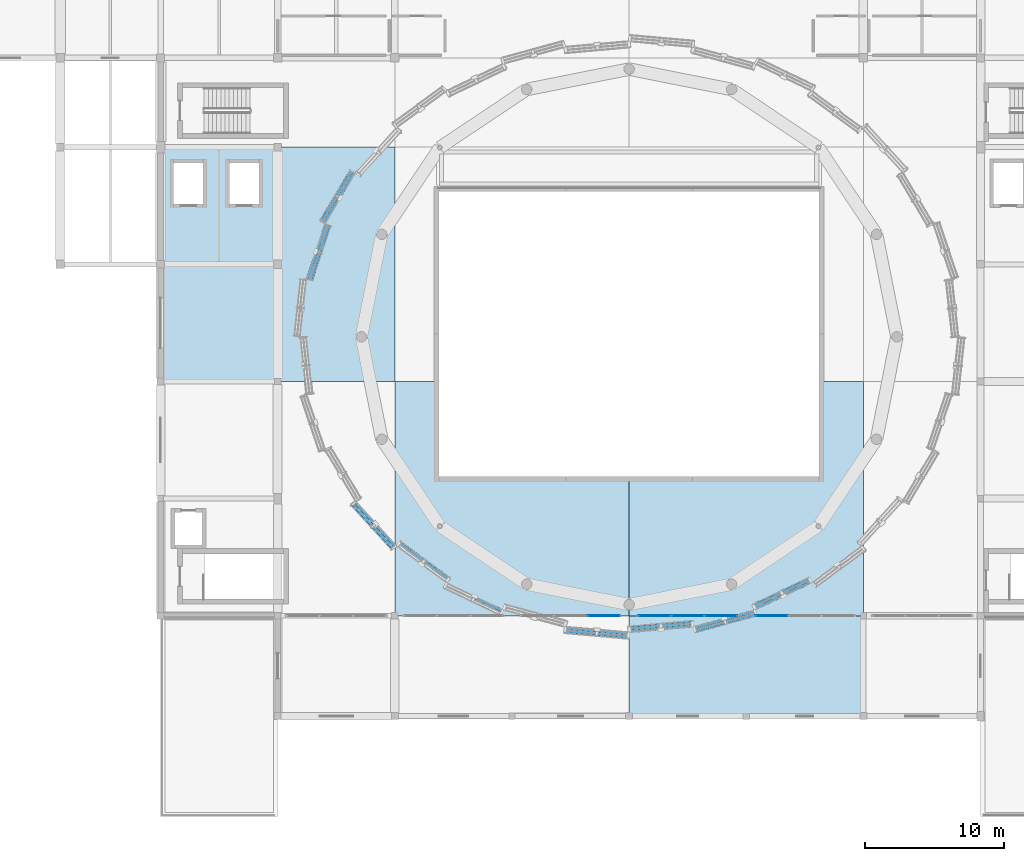
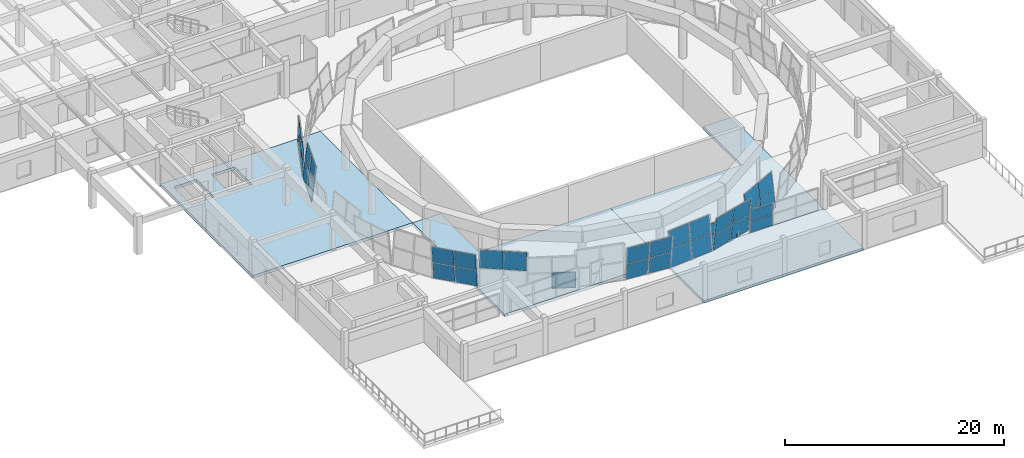
# One storey, part 24 of 40: 41 plates, 4 slabs, 12 elements without a shape of their own.
"""IFC4 building model written with IfcOpenShell, lengths in metres."""

from ifc_helpers import new_model, si_unit, direction, frame, origin, origin_2d, place, context, subcontext, project, spatial, polyline, rectangle, outline, extrude, material, layer, layer_set, type_object, element, aggregate, save


model = new_model("IFC4")

# Units and contexts
model_context = context("Model", 3, precision=1e-05, world=origin(), true_north=direction((0.0, 1.0)))
body_context = subcontext(model_context, "Body", "Model", "MODEL_VIEW")
ifc_project = project(units=[si_unit("LENGTHUNIT", "METRE"), si_unit("AREAUNIT", "SQUARE_METRE"), si_unit("VOLUMEUNIT", "CUBIC_METRE"), si_unit("PLANEANGLEUNIT", "RADIAN"), si_unit("MASSUNIT", "GRAM", prefix="KILO")], contexts=[model_context])

# Site, building, storey
site_placement = place(None, origin())
site = spatial("IfcSite", under=ifc_project, at=site_placement, CompositionType="ELEMENT")
building_placement = place(site_placement, origin())
building = spatial("IfcBuilding", under=site, at=building_placement, Name="Korsvaeld Concert Hall", CompositionType="ELEMENT")
storey_placement = place(building_placement, frame((0.0, 0.0, 13.199951171875)))
storey = spatial("IfcBuildingStorey", under=building, at=storey_placement, Name="L03", CompositionType="ELEMENT", Elevation=13.199951171875)

# Curtain wall, plates
ifc_material_1 = material(Name="Anodised bronze and ceramic-fritted safety glass", Category="glass")
curtain_wall_type_1 = type_object("IfcCurtainWallType", Name="CW-TYPE-15", PredefinedType="USERDEFINED", material=ifc_material_1)
curtain_wall_1_placement = place(storey_placement, origin())
curtain_wall_1 = element("IfcCurtainWall", 1, at=curtain_wall_1_placement, inside=storey, type_object=curtain_wall_type_1, Name="Glazed foyer acoustic screen L03-39", ObjectType="CURTAIN WALL", PredefinedType="USERDEFINED")
ifc_material_2 = material(Name="Clear acoustic triple safety glazing", Category="glass")
ifc_layer_1 = layer(ifc_material_2, 0.0439453125)
ifc_layer_set_1 = layer_set([ifc_layer_1], Name="Clear acoustic triple safety glazing")
plate_type_1 = type_object("IfcPlateType", Name="CWP-CLEAR-44", PredefinedType="CURTAIN_PANEL", material=ifc_layer_set_1)
plate_1_placement = place(storey_placement, frame((82.18505859375, 43.199951171875, 0.06005859375), z_axis=(0.0, 0.0, 1.0), x_axis=(1.0, 0.0, 0.0)))
plate_1 = element("IfcPlate", 2, at=plate_1_placement, type_object=plate_type_1, Name="CW-15 panel 3.1", PredefinedType="CURTAIN_PANEL", context=body_context, shape_type="SweptSolid", body=[
    extrude(rectangle(XDim=2.31005859375, YDim=0.0439453125, at=origin_2d()), origin(), (0.0, 0.0, 1.0), 1.18505859375),
])
plate_2_placement = place(storey_placement, frame((82.18505859375, 43.199951171875, 1.304931640625), z_axis=(0.0, 0.0, 1.0), x_axis=(1.0, 0.0, 0.0)))
plate_2 = element("IfcPlate", 3, at=plate_2_placement, type_object=plate_type_1, Name="CW-15 panel 3.2", PredefinedType="CURTAIN_PANEL", context=body_context, shape_type="SweptSolid", body=[
    extrude(rectangle(XDim=2.31005859375, YDim=0.0439453125, at=origin_2d()), origin(), (0.0, 0.0, 1.0), 1.18505859375),
])
aggregate(curtain_wall_1, [plate_1, plate_2])

curtain_wall_type_2 = type_object("IfcCurtainWallType", Name="CW-TYPE-08", PredefinedType="USERDEFINED", material=ifc_material_1)
curtain_wall_2_placement = place(storey_placement, origin())
curtain_wall_2 = element("IfcCurtainWall", 4, at=curtain_wall_2_placement, inside=storey, type_object=curtain_wall_type_2, Name="Glazed foyer acoustic screen L03-40", ObjectType="CURTAIN WALL", PredefinedType="USERDEFINED")
plate_3_placement = place(storey_placement, frame((85.81494140625, 43.199951171875, 0.06005859375), z_axis=(0.0, 0.0, 1.0), x_axis=(1.0, 0.0, 0.0)))
plate_3 = element("IfcPlate", 5, at=plate_3_placement, type_object=plate_type_1, Name="CW-08 panel 1.1", PredefinedType="CURTAIN_PANEL", context=body_context, shape_type="SweptSolid", body=[
    extrude(rectangle(XDim=2.31005859375, YDim=0.0439453125, at=origin_2d()), origin(), (0.0, 0.0, 1.0), 1.18505859375),
])
plate_4_placement = place(storey_placement, frame((85.81494140625, 43.199951171875, 1.304931640625), z_axis=(0.0, 0.0, 1.0), x_axis=(1.0, 0.0, 0.0)))
plate_4 = element("IfcPlate", 6, at=plate_4_placement, type_object=plate_type_1, Name="CW-08 panel 1.2", PredefinedType="CURTAIN_PANEL", context=body_context, shape_type="SweptSolid", body=[
    extrude(rectangle(XDim=2.31005859375, YDim=0.0439453125, at=origin_2d()), origin(), (0.0, 0.0, 1.0), 1.18505859375),
])
plate_5_placement = place(storey_placement, frame((88.199951171875, 43.199951171875, 0.06005859375), z_axis=(0.0, 0.0, 1.0), x_axis=(1.0, 0.0, 0.0)))
plate_5 = element("IfcPlate", 7, at=plate_5_placement, type_object=plate_type_1, Name="CW-08 panel 2.1", PredefinedType="CURTAIN_PANEL", context=body_context, shape_type="SweptSolid", body=[
    extrude(rectangle(XDim=2.340087890625, YDim=0.0439453125, at=origin_2d()), origin(), (0.0, 0.0, 1.0), 1.18505859375),
])
plate_6_placement = place(storey_placement, frame((88.199951171875, 43.199951171875, 1.304931640625), z_axis=(0.0, 0.0, 1.0), x_axis=(1.0, 0.0, 0.0)))
plate_6 = element("IfcPlate", 8, at=plate_6_placement, type_object=plate_type_1, Name="CW-08 panel 2.2", PredefinedType="CURTAIN_PANEL", context=body_context, shape_type="SweptSolid", body=[
    extrude(rectangle(XDim=2.340087890625, YDim=0.0439453125, at=origin_2d()), origin(), (0.0, 0.0, 1.0), 1.18505859375),
])
plate_7_placement = place(storey_placement, frame((90.5849609375, 43.199951171875, 0.06005859375), z_axis=(0.0, 0.0, 1.0), x_axis=(1.0, 0.0, 0.0)))
plate_7 = element("IfcPlate", 9, at=plate_7_placement, type_object=plate_type_1, Name="CW-08 panel 3.1", PredefinedType="CURTAIN_PANEL", context=body_context, shape_type="SweptSolid", body=[
    extrude(rectangle(XDim=2.31005859375, YDim=0.0439453125, at=origin_2d()), origin(), (0.0, 0.0, 1.0), 1.18505859375),
])
plate_8_placement = place(storey_placement, frame((90.5849609375, 43.199951171875, 1.304931640625), z_axis=(0.0, 0.0, 1.0), x_axis=(1.0, 0.0, 0.0)))
plate_8 = element("IfcPlate", 10, at=plate_8_placement, type_object=plate_type_1, Name="CW-08 panel 3.2", PredefinedType="CURTAIN_PANEL", context=body_context, shape_type="SweptSolid", body=[
    extrude(rectangle(XDim=2.31005859375, YDim=0.0439453125, at=origin_2d()), origin(), (0.0, 0.0, 1.0), 1.18505859375),
])
aggregate(curtain_wall_2, [plate_3, plate_4, plate_5, plate_6, plate_7, plate_8])

curtain_wall_type_3 = type_object("IfcCurtainWallType", Name="CW-TYPE-09", PredefinedType="USERDEFINED", material=ifc_material_1)
curtain_wall_3_placement = place(storey_placement, origin())
curtain_wall_3 = element("IfcCurtainWall", 11, at=curtain_wall_3_placement, inside=storey, type_object=curtain_wall_type_3, Name="Glazed foyer acoustic screen L03-41", ObjectType="CURTAIN WALL", PredefinedType="USERDEFINED")
plate_9_placement = place(storey_placement, frame((94.215087890625, 43.199951171875, 0.06005859375), z_axis=(0.0, 0.0, 1.0), x_axis=(1.0, 0.0, 0.0)))
plate_9 = element("IfcPlate", 12, at=plate_9_placement, type_object=plate_type_1, Name="CW-09 panel 1.1", PredefinedType="CURTAIN_PANEL", context=body_context, shape_type="SweptSolid", body=[
    extrude(rectangle(XDim=2.31005859375, YDim=0.0439453125, at=origin_2d()), origin(), (0.0, 0.0, 1.0), 1.18505859375),
])
plate_10_placement = place(storey_placement, frame((94.215087890625, 43.199951171875, 1.304931640625), z_axis=(0.0, 0.0, 1.0), x_axis=(1.0, 0.0, 0.0)))
plate_10 = element("IfcPlate", 13, at=plate_10_placement, type_object=plate_type_1, Name="CW-09 panel 1.2", PredefinedType="CURTAIN_PANEL", context=body_context, shape_type="SweptSolid", body=[
    extrude(rectangle(XDim=2.31005859375, YDim=0.0439453125, at=origin_2d()), origin(), (0.0, 0.0, 1.0), 1.18505859375),
])
aggregate(curtain_wall_3, [plate_9, plate_10])

curtain_wall_type_4 = type_object("IfcCurtainWallType", Name="CW-TYPE-06", PredefinedType="USERDEFINED", material=ifc_material_1)
curtain_wall_4_placement = place(storey_placement, origin())
curtain_wall_4 = element("IfcCurtainWall", 14, at=curtain_wall_4_placement, inside=storey, type_object=curtain_wall_type_4, Name="Crystal curtain-wall facet L03 F14", ObjectType="CURTAIN WALL", PredefinedType="USERDEFINED")
ifc_material_3 = material(Name="Translucent ceramic-fritted crystal safety glass", Category="glass")
ifc_layer_2 = layer(ifc_material_3, 0.035888671875)
ifc_layer_set_2 = layer_set([ifc_layer_2], Name="Translucent ceramic-fritted crystal safety glass")
plate_type_2 = type_object("IfcPlateType", Name="CWP-CRYSTAL-36", PredefinedType="CURTAIN_PANEL", material=ifc_layer_set_2)
plate_11_placement = place(storey_placement, frame((64.332763671875, 74.91650390625, 0.06005859375), z_axis=(-0.853874694268, 0.508121495281, -0.11274108622), x_axis=(-0.511381861684, -0.859353589357, 0.0)))
plate_11 = element("IfcPlate", 15, at=plate_11_placement, type_object=plate_type_2, Name="CW-CRYS-L03-F14 ceramic-fritted crystal panel 1.1", PredefinedType="CURTAIN_PANEL", context=body_context, shape_type="SweptSolid", body=[
    extrude(outline(polyline([(0.0, 0.0), (2.0199366887482033, 2.7755575615628914e-17), (2.0386029109089057, 1.8619688254406463), (0.018666222160702132, 1.8619688254406463), (0.0, 0.0)])), frame((0.0, 0.0, 0.01806640625)), (0.0, 0.0, -1.0), 0.035888671875),
])
plate_12_placement = place(storey_placement, frame((64.13671875, 75.0107421875, 1.969970703125), z_axis=(-0.853863841898, 0.508115037281, -0.112852330006), x_axis=(-0.511381861684, -0.859353589357, 0.0)))
plate_12 = element("IfcPlate", 16, at=plate_12_placement, type_object=plate_type_2, Name="CW-CRYS-L03-F14 ceramic-fritted crystal panel 1.2", PredefinedType="CURTAIN_PANEL", context=body_context, shape_type="SweptSolid", body=[
    extrude(outline(polyline([(0.0, 0.0), (2.0199366887482033, 1.3877787807814457e-17), (2.0387277599962306, 1.8619924905422793), (0.01879107124802723, 1.8619924905422793), (0.0, 0.0)])), frame((0.0, 0.0, 0.01806640625)), (0.0, 0.0, -1.0), 0.035888671875),
])
plate_13_placement = place(storey_placement, frame((63.261474609375, 73.1162109375, 0.06005859375), z_axis=(-0.853893593206, 0.508097010457, -0.112708293603), x_axis=(-0.511355642528, -0.859369191234, 3.460787e-06)))
plate_13 = element("IfcPlate", 17, at=plate_13_placement, type_object=plate_type_2, Name="CW-CRYS-L03-F14 ceramic-fritted crystal panel 2.1", PredefinedType="CURTAIN_PANEL", context=body_context, shape_type="SweptSolid", body=[
    extrude(outline(polyline([(0.0, 0.0), (2.0199366877959646, 1.3877787807814457e-17), (2.0388127149924435, 1.8619547528990286), (0.018666220265025214, 1.8619688244266253), (0.0, 0.0)])), frame((0.0, 0.0, 0.01806640625)), (0.0, 0.0, -1.0), 0.035888671875),
])
plate_14_placement = place(storey_placement, frame((63.0654296875, 73.21044921875, 1.969970703125), z_axis=(-0.85388274351, 0.508090554503, -0.112819540684), x_axis=(-0.511355643194, -0.859369190838, 3.464158e-06)))
plate_14 = element("IfcPlate", 18, at=plate_14_placement, type_object=plate_type_2, Name="CW-CRYS-L03-F14 ceramic-fritted crystal panel 2.2", PredefinedType="CURTAIN_PANEL", context=body_context, shape_type="SweptSolid", body=[
    extrude(outline(polyline([(0.0, 0.0), (2.019936687795989, 1.3877787807814457e-17), (2.038937564079803, 1.8619784041117298), (0.01879106935245732, 1.861992489528423), (0.0, 0.0)])), frame((0.0, 0.0, 0.01806640625)), (0.0, 0.0, -1.0), 0.035888671875),
])
aggregate(curtain_wall_4, [plate_11, plate_12, plate_13, plate_14])

curtain_wall_type_5 = type_object("IfcCurtainWallType", Name="CW-TYPE-07", PredefinedType="USERDEFINED", material=ifc_material_1)
curtain_wall_5_placement = place(storey_placement, origin())
curtain_wall_5 = element("IfcCurtainWall", 19, at=curtain_wall_5_placement, inside=storey, type_object=curtain_wall_type_5, Name="Crystal curtain-wall facet L03 F15", ObjectType="CURTAIN WALL", PredefinedType="USERDEFINED")
plate_15_placement = place(storey_placement, frame((62.178955078125, 71.239990234375, 0.06005859375), z_axis=(-0.941366104364, 0.317900359323, 0.113000969451), x_axis=(-0.319949676143, -0.947434538497, 0.0)))
plate_15 = element("IfcPlate", 20, at=plate_15_placement, type_object=plate_type_2, Name="CW-CRYS-L03-F15 ceramic-fritted crystal panel 1.1", PredefinedType="CURTAIN_PANEL", context=body_context, shape_type="SweptSolid", body=[
    extrude(outline(polyline([(0.0, 0.0), (1.9862437572585203, 0.0), (1.9736826146833244, 1.8620241487311948), (-0.012561142575196048, 1.8620241487311948), (0.0, 0.0)])), frame((0.0, 0.0, 0.01806640625)), (0.0, 0.0, -1.0), 0.035888671875),
])
plate_16_placement = place(storey_placement, frame((62.388916015625, 71.182861328125, 1.969970703125), z_axis=(-0.941366104364, 0.317900359323, 0.113000969451), x_axis=(-0.319949676143, -0.947434538497, 0.0)))
plate_16 = element("IfcPlate", 21, at=plate_16_placement, type_object=plate_type_2, Name="CW-CRYS-L03-F15 ceramic-fritted crystal panel 1.2", PredefinedType="CURTAIN_PANEL", context=body_context, shape_type="SweptSolid", body=[
    extrude(outline(polyline([(0.0, 0.0), (1.9862437572585203, 0.0), (1.9736826146833244, 1.8620241487311948), (-0.012561142575196048, 1.8620241487311948), (0.0, 0.0)])), frame((0.0, 0.0, 0.01806640625)), (0.0, 0.0, -1.0), 0.035888671875),
])
plate_17_placement = place(storey_placement, frame((61.51953125, 69.287109375, 0.06005859375), z_axis=(-0.941366104364, 0.317900359323, 0.113000969451), x_axis=(-0.319949676143, -0.947434538497, 0.0)))
plate_17 = element("IfcPlate", 22, at=plate_17_placement, type_object=plate_type_2, Name="CW-CRYS-L03-F15 ceramic-fritted crystal panel 2.1", PredefinedType="CURTAIN_PANEL", context=body_context, shape_type="SweptSolid", body=[
    extrude(outline(polyline([(0.0, 0.0), (1.9862437572585203, 0.0), (1.9736826146833244, 1.8620241487311948), (-0.012561142575196048, 1.8620241487311948), (0.0, 0.0)])), frame((0.0, 0.0, 0.01806640625)), (0.0, 0.0, -1.0), 0.035888671875),
])
plate_18_placement = place(storey_placement, frame((61.7294921875, 69.22998046875, 1.969970703125), z_axis=(-0.941378575992, 0.317863332898, 0.113001231244), x_axis=(-0.319912420616, -0.947447118912, 0.0)))
plate_18 = element("IfcPlate", 23, at=plate_18_placement, type_object=plate_type_2, Name="CW-CRYS-L03-F15 ceramic-fritted crystal panel 2.2", PredefinedType="CURTAIN_PANEL", context=body_context, shape_type="SweptSolid", body=[
    extrude(outline(polyline([(0.0, 0.0), (1.9864750660546802, 1.3877787807814457e-17), (1.9739221973095524, 1.862024204527748), (-0.012552868745127732, 1.862024204527748), (0.0, 0.0)])), frame((0.0, 0.0, 0.01806640625)), (0.0, 0.0, -1.0), 0.035888671875),
])
aggregate(curtain_wall_5, [plate_15, plate_16, plate_17, plate_18])

curtain_wall_type_6 = type_object("IfcCurtainWallType", Name="CW-TYPE-04", PredefinedType="USERDEFINED", material=ifc_material_1)
curtain_wall_6_placement = place(storey_placement, origin())
curtain_wall_6 = element("IfcCurtainWall", 24, at=curtain_wall_6_placement, inside=storey, type_object=curtain_wall_type_6, Name="Crystal curtain-wall facet L03 F20", ObjectType="CURTAIN WALL", PredefinedType="USERDEFINED")
plate_19_placement = place(storey_placement, frame((64.42236328125, 51.362548828125, 0.06005859375), z_axis=(-0.733609082796, -0.670177381511, -0.112605465897), x_axis=(0.674466768494, -0.738305206658, 4.464638e-06)))
plate_19 = element("IfcPlate", 25, at=plate_19_placement, type_object=plate_type_2, Name="CW-CRYS-L03-F20 ceramic-fritted crystal panel 1.1", PredefinedType="CURTAIN_PANEL", context=body_context, shape_type="SweptSolid", body=[
    extrude(outline(polyline([(0.0, 0.0), (2.063350847157608, 0.0), (2.0412052648161545, 1.861930835905153), (-0.021965332046859215, 1.8619493772551041), (0.0, 0.0)])), frame((0.0, 0.0, 0.01806640625)), (0.0, 0.0, -1.0), 0.035888671875),
])
plate_20_placement = place(storey_placement, frame((64.247314453125, 51.2333984375, 1.969970703125), z_axis=(-0.733578723806, -0.670203354014, -0.112648658439), x_axis=(0.674496604142, -0.738277949692, 0.0)))
plate_20 = element("IfcPlate", 26, at=plate_20_placement, type_object=plate_type_2, Name="CW-CRYS-L03-F20 ceramic-fritted crystal panel 1.2", PredefinedType="CURTAIN_PANEL", context=body_context, shape_type="SweptSolid", body=[
    extrude(outline(polyline([(0.0, 0.0), (2.0631705985682665, -1.3877787807814457e-17), (2.0411885302853268, 1.8619491815404832), (-0.02198206828293976, 1.8619491815404832), (0.0, 0.0)])), frame((0.0, 0.0, 0.01806640625)), (0.0, 0.0, -1.0), 0.035888671875),
])
plate_21_placement = place(storey_placement, frame((65.864501953125, 49.783935546875, 0.06005859375), z_axis=(-0.733583849474, -0.670213115462, -0.112557166157), x_axis=(0.67449860816, -0.738276118741, 9.347908e-06)))
plate_21 = element("IfcPlate", 27, at=plate_21_placement, type_object=plate_type_2, Name="CW-CRYS-L03-F20 ceramic-fritted crystal panel 2.1", PredefinedType="CURTAIN_PANEL", context=body_context, shape_type="SweptSolid", body=[
    extrude(outline(polyline([(0.0, 0.0), (2.063350841663574, -1.3877787807814457e-17), (2.041369927888866, 1.8619105484468095), (-0.021965343093413546, 1.861949371036481), (0.0, 0.0)])), frame((0.0, 0.0, 0.01806640625)), (0.0, 0.0, -1.0), 0.035888671875),
])
plate_22_placement = place(storey_placement, frame((65.689453125, 49.65478515625, 1.969970703125), z_axis=(-0.733578723806, -0.670203354014, -0.112648658439), x_axis=(0.674496604142, -0.738277949692, 0.0)))
plate_22 = element("IfcPlate", 28, at=plate_22_placement, type_object=plate_type_2, Name="CW-CRYS-L03-F20 ceramic-fritted crystal panel 2.2", PredefinedType="CURTAIN_PANEL", context=body_context, shape_type="SweptSolid", body=[
    extrude(outline(polyline([(0.0, 0.0), (2.0631705985682665, -1.3877787807814457e-17), (2.0411885302853268, 1.8619491815404832), (-0.02198206828293976, 1.8619491815404832), (0.0, 0.0)])), frame((0.0, 0.0, 0.01806640625)), (0.0, 0.0, -1.0), 0.035888671875),
])
aggregate(curtain_wall_6, [plate_19, plate_20, plate_21, plate_22])

curtain_wall_type_7 = type_object("IfcCurtainWallType", Name="CW-TYPE-05", PredefinedType="USERDEFINED", material=ifc_material_1)
curtain_wall_7_placement = place(storey_placement, origin())
curtain_wall_7 = element("IfcCurtainWall", 29, at=curtain_wall_7_placement, inside=storey, type_object=curtain_wall_type_7, Name="Crystal curtain-wall facet L03 F21", ObjectType="CURTAIN WALL", PredefinedType="USERDEFINED")
plate_23_placement = place(storey_placement, frame((67.524169921875, 48.33056640625, 1.969970703125), z_axis=(-0.589636274188, -0.79979340898, 0.112514741765), x_axis=(0.804904507896, -0.593404358906, 0.0)))
plate_23 = element("IfcPlate", 30, at=plate_23_placement, type_object=plate_type_2, Name="CW-CRYS-L03-F21 ceramic-fritted crystal panel 1.2", PredefinedType="CURTAIN_PANEL", context=body_context, shape_type="SweptSolid", body=[
    extrude(outline(polyline([(0.0, 0.0), (2.1089579558479716, 1.3877787807814457e-17), (2.13104190286267, 1.86192074958865), (0.022083947014698666, 1.86192074958865), (0.0, 0.0)])), frame((0.0, 0.0, 0.01806640625)), (0.0, 0.0, -1.0), 0.035888671875),
])
plate_24_placement = place(storey_placement, frame((69.281982421875, 47.034423828125, 1.969970703125), z_axis=(-0.589629269114, -0.799783907169, 0.112618945289), x_axis=(0.804904507896, -0.593404358906, 0.0)))
plate_24 = element("IfcPlate", 31, at=plate_24_placement, type_object=plate_type_2, Name="CW-CRYS-L03-F21 ceramic-fritted crystal panel 2.2", PredefinedType="CURTAIN_PANEL", context=body_context, shape_type="SweptSolid", body=[
    extrude(outline(polyline([(0.0, 0.0), (2.1089579558479716, 1.3877787807814457e-17), (2.130897028751609, 1.8619428700867073), (0.0219390729036376, 1.8619428700867073), (0.0, 0.0)])), frame((0.0, 0.0, 0.01806640625)), (0.0, 0.0, -1.0), 0.035888671875),
])
aggregate(curtain_wall_7, [plate_23, plate_24])

# Curtain wall, plate
curtain_wall_8_placement = place(storey_placement, origin())
curtain_wall_8 = element("IfcCurtainWall", 32, at=curtain_wall_8_placement, inside=storey, type_object=curtain_wall_type_4, Name="Crystal curtain-wall facet L03 F22", ObjectType="CURTAIN WALL", PredefinedType="USERDEFINED")
plate_25_placement = place(storey_placement, frame((72.958984375, 44.5712890625, 0.06005859375), z_axis=(-0.430090776937, -0.89571226322, -0.112789472515), x_axis=(0.901464591462, -0.432852850679, 0.0)))
plate_25 = element("IfcPlate", 33, at=plate_25_placement, type_object=plate_type_2, Name="CW-CRYS-L03-F22 ceramic-fritted crystal panel 2.1", PredefinedType="CURTAIN_PANEL", context=body_context, shape_type="SweptSolid", body=[
    extrude(outline(polyline([(0.0, 0.0), (2.150634336043882, 0.0), (2.1317694595248153, 1.8619791157700134), (-0.01886487651906714, 1.8619791157700134), (0.0, 0.0)])), frame((0.0, 0.0, 0.01806640625)), (0.0, 0.0, -1.0), 0.035888671875),
])
aggregate(curtain_wall_8, [plate_25])

# Curtain wall, plates
curtain_wall_9_placement = place(storey_placement, origin())
curtain_wall_9 = element("IfcCurtainWall", 34, at=curtain_wall_9_placement, inside=storey, type_object=curtain_wall_type_2, Name="Crystal curtain-wall facet L03 F24", ObjectType="CURTAIN WALL", PredefinedType="USERDEFINED")
plate_26_placement = place(storey_placement, frame((79.469970703125, 42.39404296875, 0.06005859375), z_axis=(-0.087601431173, -0.989708612515, -0.113149686564), x_axis=(0.996105644419, -0.088167710395, 5.50361e-07)))
plate_26 = element("IfcPlate", 35, at=plate_26_placement, type_object=plate_type_2, Name="CW-CRYS-L03-F24 ceramic-fritted crystal panel 1.1", PredefinedType="CURTAIN_PANEL", context=body_context, shape_type="SweptSolid", body=[
    extrude(outline(polyline([(0.0, 0.0), (2.1985040997295173, 0.0), (2.1941139961104135, 1.8620546514254817), (-0.004633293473698596, 1.8620570871416664), (0.0, 0.0)])), frame((0.0, 0.0, 0.01806640625)), (0.0, 0.0, -1.0), 0.035888671875),
])
plate_27_placement = place(storey_placement, frame((79.446044921875, 42.177734375, 1.969970703125), z_axis=(-0.087596644047, -0.989709689854, -0.113143969179), x_axis=(0.996106081505, -0.088162772123, 0.0)))
plate_27 = element("IfcPlate", 36, at=plate_27_placement, type_object=plate_type_2, Name="CW-CRYS-L03-F24 ceramic-fritted crystal panel 1.2", PredefinedType="CURTAIN_PANEL", context=body_context, shape_type="SweptSolid", body=[
    extrude(outline(polyline([(0.0, 0.0), (2.198747289611464, 0.0), (2.1943551233077576, 1.8620546465919228), (-0.004392166303706893, 1.8620546465919228), (0.0, 0.0)])), frame((0.0, 0.0, 0.01806640625)), (0.0, 0.0, -1.0), 0.035888671875),
])
plate_28_placement = place(storey_placement, frame((81.734619140625, 42.193603515625, 0.06005859375), z_axis=(-0.087606333413, -0.989708829619, -0.113143991971), x_axis=(0.996105218313, -0.088172524341, 0.0)))
plate_28 = element("IfcPlate", 37, at=plate_28_placement, type_object=plate_type_2, Name="CW-CRYS-L03-F24 ceramic-fritted crystal panel 2.1", PredefinedType="CURTAIN_PANEL", context=body_context, shape_type="SweptSolid", body=[
    extrude(outline(polyline([(0.0, 0.0), (2.198504099755524, -6.938893903907228e-18), (2.1941139960844582, 1.8620546514560647), (-0.004390103671065578, 1.8620546514560647), (0.0, 0.0)])), frame((0.0, 0.0, 0.01806640625)), (0.0, 0.0, -1.0), 0.035888671875),
])
plate_29_placement = place(storey_placement, frame((81.7109375, 41.977294921875, 1.969970703125), z_axis=(-0.087606333413, -0.989708829619, -0.113143991971), x_axis=(0.996105218313, -0.088172524341, 0.0)))
plate_29 = element("IfcPlate", 38, at=plate_29_placement, type_object=plate_type_2, Name="CW-CRYS-L03-F24 ceramic-fritted crystal panel 2.2", PredefinedType="CURTAIN_PANEL", context=body_context, shape_type="SweptSolid", body=[
    extrude(outline(polyline([(0.0, 0.0), (2.198504099755524, -6.938893903907228e-18), (2.1941139960844582, 1.8620546514560647), (-0.004390103671065578, 1.8620546514560647), (0.0, 0.0)])), frame((0.0, 0.0, 0.01806640625)), (0.0, 0.0, -1.0), 0.035888671875),
])
aggregate(curtain_wall_9, [plate_26, plate_27, plate_28, plate_29])

curtain_wall_type_8 = type_object("IfcCurtainWallType", Name="CW-TYPE-01", PredefinedType="USERDEFINED", material=ifc_material_1)
curtain_wall_10_placement = place(storey_placement, origin())
curtain_wall_10 = element("IfcCurtainWall", 39, at=curtain_wall_10_placement, inside=storey, type_object=curtain_wall_type_8, Name="Crystal curtain-wall facet L03 F25", ObjectType="CURTAIN WALL", PredefinedType="USERDEFINED")
plate_30_placement = place(storey_placement, frame((84.073974609375, 42.013427734375, 0.06005859375), z_axis=(0.087606333413, -0.989708829619, 0.113143991971), x_axis=(0.996105218313, 0.088172524341, 0.0)))
plate_30 = element("IfcPlate", 40, at=plate_30_placement, type_object=plate_type_2, Name="CW-CRYS-L03-F25 ceramic-fritted crystal panel 1.1", PredefinedType="CURTAIN_PANEL", context=body_context, shape_type="SweptSolid", body=[
    extrude(outline(polyline([(0.0, 0.0), (2.198504099755524, -6.938893903907228e-18), (2.1941139960844582, 1.8620546514560647), (-0.004390103671065578, 1.8620546514560647), (0.0, 0.0)])), frame((0.0, 0.0, 0.01806640625)), (0.0, 0.0, -1.0), 0.035888671875),
])
plate_31_placement = place(storey_placement, frame((84.05029296875, 42.229736328125, 1.969970703125), z_axis=(0.087606333413, -0.989708829619, 0.113143991971), x_axis=(0.996105218313, 0.088172524341, 0.0)))
plate_31 = element("IfcPlate", 41, at=plate_31_placement, type_object=plate_type_2, Name="CW-CRYS-L03-F25 ceramic-fritted crystal panel 1.2", PredefinedType="CURTAIN_PANEL", context=body_context, shape_type="SweptSolid", body=[
    extrude(outline(polyline([(0.0, 0.0), (2.198504099755524, -6.938893903907228e-18), (2.1941139960844582, 1.8620546514560647), (-0.004390103671065578, 1.8620546514560647), (0.0, 0.0)])), frame((0.0, 0.0, 0.01806640625)), (0.0, 0.0, -1.0), 0.035888671875),
])
plate_32_placement = place(storey_placement, frame((86.338623046875, 42.2138671875, 0.06005859375), z_axis=(0.08755094843, -0.989706373559, 0.113208328167), x_axis=(0.996110155902, 0.088116725255, -6.221166e-06)))
plate_32 = element("IfcPlate", 42, at=plate_32_placement, type_object=plate_type_2, Name="CW-CRYS-L03-F25 ceramic-fritted crystal panel 2.1", PredefinedType="CURTAIN_PANEL", context=body_context, shape_type="SweptSolid", body=[
    extrude(outline(polyline([(0.0, 0.0), (2.19848258339124, 0.0), (2.194090681131892, 1.8620821238047118), (-0.004413415131725044, 1.8620545924301783), (0.0, 0.0)])), frame((0.0, 0.0, 0.01806640625)), (0.0, 0.0, -1.0), 0.035888671875),
])
plate_33_placement = place(storey_placement, frame((86.31494140625, 42.43017578125, 1.969970703125), z_axis=(0.087606333413, -0.989708829619, 0.113143991971), x_axis=(0.996105218313, 0.088172524341, 0.0)))
plate_33 = element("IfcPlate", 43, at=plate_33_placement, type_object=plate_type_2, Name="CW-CRYS-L03-F25 ceramic-fritted crystal panel 2.2", PredefinedType="CURTAIN_PANEL", context=body_context, shape_type="SweptSolid", body=[
    extrude(outline(polyline([(0.0, 0.0), (2.198504099755524, -6.938893903907228e-18), (2.1941139960844582, 1.8620546514560647), (-0.004390103671065578, 1.8620546514560647), (0.0, 0.0)])), frame((0.0, 0.0, 0.01806640625)), (0.0, 0.0, -1.0), 0.035888671875),
])
aggregate(curtain_wall_10, [plate_30, plate_31, plate_32, plate_33])

curtain_wall_type_9 = type_object("IfcCurtainWallType", Name="CW-TYPE-02", PredefinedType="USERDEFINED", material=ifc_material_1)
curtain_wall_11_placement = place(storey_placement, origin())
curtain_wall_11 = element("IfcCurtainWall", 44, at=curtain_wall_11_placement, inside=storey, type_object=curtain_wall_type_9, Name="Crystal curtain-wall facet L03 F26", ObjectType="CURTAIN WALL", PredefinedType="USERDEFINED")
plate_34_placement = place(storey_placement, frame((88.6787109375, 42.420654296875, 0.06005859375), z_axis=(0.261231908982, -0.958647167159, -0.112931389025), x_axis=(0.964819501375, 0.262913160053, 6.057422e-06)))
plate_34 = element("IfcPlate", 45, at=plate_34_placement, type_object=plate_type_2, Name="CW-CRYS-L03-F26 ceramic-fritted crystal panel 1.1", PredefinedType="CURTAIN_PANEL", context=body_context, shape_type="SweptSolid", body=[
    extrude(outline(polyline([(0.0, 0.0), (2.1817033090388422, -1.3877787807814457e-17), (2.194285348530976, 1.8619959463990838), (0.01251785170891789, 1.8620225479588595), (0.0, 0.0)])), frame((0.0, 0.0, 0.01806640625)), (0.0, 0.0, -1.0), 0.035888671875),
])
plate_35_placement = place(storey_placement, frame((88.748291015625, 42.21435546875, 1.969970703125), z_axis=(0.26128178054, -0.958626175241, -0.112994191446), x_axis=(0.964805126409, 0.262965906641, 0.0)))
plate_35 = element("IfcPlate", 46, at=plate_35_placement, type_object=plate_type_2, Name="CW-CRYS-L03-F26 ceramic-fritted crystal panel 1.2", PredefinedType="CURTAIN_PANEL", context=body_context, shape_type="SweptSolid", body=[
    extrude(outline(polyline([(0.0, 0.0), (2.1817675001225645, -1.3877787807814457e-17), (2.1942626425191207, 1.862022704165911), (0.01249514239655624, 1.862022704165911), (0.0, 0.0)])), frame((0.0, 0.0, 0.01806640625)), (0.0, 0.0, -1.0), 0.035888671875),
])
plate_36_placement = place(storey_placement, frame((90.85595703125, 43.013916015625, 0.06005859375), z_axis=(0.261267170979, -0.958628162452, -0.113011112386), x_axis=(0.964809044512, 0.262951530942, 1.651812e-06)))
plate_36 = element("IfcPlate", 47, at=plate_36_placement, type_object=plate_type_2, Name="CW-CRYS-L03-F26 ceramic-fritted crystal panel 2.1", PredefinedType="CURTAIN_PANEL", context=body_context, shape_type="SweptSolid", body=[
    extrude(outline(polyline([(0.0, 0.0), (2.182003048960531, 1.3877787807814457e-17), (2.1945043823121617, 1.8620226623379514), (0.012736882434763102, 1.86202991694282), (0.0, 0.0)])), frame((0.0, 0.0, 0.01806640625)), (0.0, 0.0, -1.0), 0.035888671875),
])
plate_37_placement = place(storey_placement, frame((90.92578125, 42.807861328125, 1.969970703125), z_axis=(0.261178302111, -0.958654457556, -0.112993475543), x_axis=(0.964833511963, 0.262861739689, 0.0)))
plate_37 = element("IfcPlate", 48, at=plate_37_placement, type_object=plate_type_2, Name="CW-CRYS-L03-F26 ceramic-fritted crystal panel 2.2", PredefinedType="CURTAIN_PANEL", context=body_context, shape_type="SweptSolid", body=[
    extrude(outline(polyline([(0.0, 0.0), (2.181703312177269, 1.3877787807814457e-17), (2.1942211701450334, 1.8620225515940299), (0.012517857967764409, 1.8620225515940299), (0.0, 0.0)])), frame((0.0, 0.0, 0.01806640625)), (0.0, 0.0, -1.0), 0.035888671875),
])
aggregate(curtain_wall_11, [plate_34, plate_35, plate_36, plate_37])

curtain_wall_type_10 = type_object("IfcCurtainWallType", Name="CW-TYPE-03", PredefinedType="USERDEFINED", material=ifc_material_1)
curtain_wall_12_placement = place(storey_placement, origin())
curtain_wall_12 = element("IfcCurtainWall", 49, at=curtain_wall_12_placement, inside=storey, type_object=curtain_wall_type_10, Name="Crystal curtain-wall facet L03 F27", ObjectType="CURTAIN WALL", PredefinedType="USERDEFINED")
plate_38_placement = place(storey_placement, frame((93.095458984375, 43.652099609375, 0.06005859375), z_axis=(0.430090776937, -0.89571226322, 0.112789472515), x_axis=(0.901464591462, 0.432852850679, 0.0)))
plate_38 = element("IfcPlate", 50, at=plate_38_placement, type_object=plate_type_2, Name="CW-CRYS-L03-F27 ceramic-fritted crystal panel 1.1", PredefinedType="CURTAIN_PANEL", context=body_context, shape_type="SweptSolid", body=[
    extrude(outline(polyline([(0.0, 0.0), (2.150634336043882, 0.0), (2.1317694595248153, 1.8619791157700134), (-0.01886487651906714, 1.8619791157700134), (0.0, 0.0)])), frame((0.0, 0.0, 0.01806640625)), (0.0, 0.0, -1.0), 0.035888671875),
])
plate_39_placement = place(storey_placement, frame((92.984130859375, 43.839111328125, 1.969970703125), z_axis=(0.430114148991, -0.895704537127, 0.112761700096), x_axis=(0.901454091207, 0.432874717948, -2.75289e-06)))
plate_39 = element("IfcPlate", 51, at=plate_39_placement, type_object=plate_type_2, Name="CW-CRYS-L03-F27 ceramic-fritted crystal panel 1.2", PredefinedType="CURTAIN_PANEL", context=body_context, shape_type="SweptSolid", body=[
    extrude(outline(polyline([(0.0, 0.0), (2.150634335402981, 1.3877787807814457e-17), (2.1317694601600947, 1.8619791150426859), (-0.018644793677650772, 1.8619671987283917), (0.0, 0.0)])), frame((0.0, 0.0, 0.01806640625)), (0.0, 0.0, -1.0), 0.035888671875),
])
plate_40_placement = place(storey_placement, frame((95.101806640625, 44.615478515625, 0.06005859375), z_axis=(0.430022527134, -0.89574865601, 0.112760682039), x_axis=(0.901498118029, 0.432783020903, 2.752695e-06)))
plate_40 = element("IfcPlate", 52, at=plate_40_placement, type_object=plate_type_2, Name="CW-CRYS-L03-F27 ceramic-fritted crystal panel 2.1", PredefinedType="CURTAIN_PANEL", context=body_context, shape_type="SweptSolid", body=[
    extrude(outline(polyline([(0.0, 0.0), (2.150308577352401, 0.0), (2.1316526182179545, 1.861967086890014), (-0.018876051448418647, 1.8619790017763262), (0.0, 0.0)])), frame((0.0, 0.0, 0.01806640625)), (0.0, 0.0, -1.0), 0.035888671875),
])
plate_41_placement = place(storey_placement, frame((94.990478515625, 44.802490234375, 1.969970703125), z_axis=(0.429999158214, -0.895756378641, 0.112788448256), x_axis=(0.901508884705, 0.432760592935, 0.0)))
plate_41 = element("IfcPlate", 53, at=plate_41_placement, type_object=plate_type_2, Name="CW-CRYS-L03-F27 ceramic-fritted crystal panel 2.2", PredefinedType="CURTAIN_PANEL", context=body_context, shape_type="SweptSolid", body=[
    extrude(outline(polyline([(0.0, 0.0), (2.1505286703400395, 0.0), (2.131642301423537, 1.8619788978930212), (-0.018886368916502288, 1.8619788978930212), (0.0, 0.0)])), frame((0.0, 0.0, 0.01806640625)), (0.0, 0.0, -1.0), 0.035888671875),
])
aggregate(curtain_wall_12, [plate_38, plate_39, plate_40, plate_41])

# Slabs
ifc_material_4 = material(Name="Concrete C35/45", Category="concrete")
ifc_layer_3 = layer(ifc_material_4, 0.280029296875)
ifc_layer_set_3 = layer_set([ifc_layer_3], Name="Concrete C35/45")
slab_type_1 = type_object("IfcSlabType", Name="SLB-FOY-280", PredefinedType="FLOOR", material=ifc_layer_set_3)
slab_1_placement = place(storey_placement, frame((0.0, 0.0, -0.280029296875)))
element("IfcSlab", 54, at=slab_1_placement, inside=storey, type_object=slab_type_1, Name="Structural slab L03 V4_BELV_L03 3.1", PredefinedType="FLOOR", context=body_context, shape_type="SweptSolid", body=[
    extrude(outline(polyline([(84.0, 36.0), (84.0, 43.199951171875), (100.800048828125, 43.199951171875), (100.800048828125, 36.0), (84.0, 36.0)])), origin(), (0.0, 0.0, 1.0), 0.280029296875),
])
ifc_layer_4 = layer(ifc_material_4, 0.320068359375)
ifc_layer_set_4 = layer_set([ifc_layer_4], Name="Concrete C35/45")
slab_type_2 = type_object("IfcSlabType", Name="SLB-HALL-320", PredefinedType="FLOOR", material=ifc_layer_set_4)
slab_2_placement = place(storey_placement, frame((0.0, 0.0, -0.320068359375)))
element("IfcSlab", 55, at=slab_2_placement, inside=storey, type_object=slab_type_2, Name="Structural slab L03 V1_L03 1.2", PredefinedType="FLOOR", context=body_context, shape_type="SweptSolid", body=[
    extrude(outline(polyline([(50.39990234375, 60.0), (50.39990234375, 76.800048828125), (67.199951171875, 76.800048828125), (67.199951171875, 60.0), (50.39990234375, 60.0)]), holes=[polyline([(53.60009765625, 75.800048828125), (51.199951171875, 75.800048828125), (51.199951171875, 72.60009765625), (53.60009765625, 72.60009765625), (53.60009765625, 75.800048828125)]), polyline([(57.60009765625, 75.800048828125), (55.199951171875, 75.800048828125), (55.199951171875, 72.60009765625), (57.60009765625, 72.60009765625), (57.60009765625, 75.800048828125)])]), origin(), (0.0, 0.0, 1.0), 0.320068359375),
])
slab_3_placement = place(storey_placement, frame((0.0, 0.0, -0.320068359375)))
element("IfcSlab", 56, at=slab_3_placement, inside=storey, type_object=slab_type_2, Name="Structural slab L03 V1_L03 2.1", PredefinedType="FLOOR", context=body_context, shape_type="SweptSolid", body=[
    extrude(outline(polyline([(84.0, 43.199951171875), (67.199951171875, 43.199951171875), (67.199951171875, 60.0), (70.199951171875, 60.0), (70.199951171875, 53.0), (84.0, 53.0), (84.0, 43.199951171875)])), origin(), (0.0, 0.0, 1.0), 0.320068359375),
])
slab_4_placement = place(storey_placement, frame((0.0, 0.0, -0.320068359375)))
element("IfcSlab", 57, at=slab_4_placement, inside=storey, type_object=slab_type_2, Name="Structural slab L03 V1_L03 3.1", PredefinedType="FLOOR", context=body_context, shape_type="SweptSolid", body=[
    extrude(outline(polyline([(100.800048828125, 60.0), (100.800048828125, 43.199951171875), (84.0, 43.199951171875), (84.0, 53.0), (97.800048828125, 53.0), (97.800048828125, 60.0), (100.800048828125, 60.0)])), origin(), (0.0, 0.0, 1.0), 0.320068359375),
])

save(model, "model.ifc")
